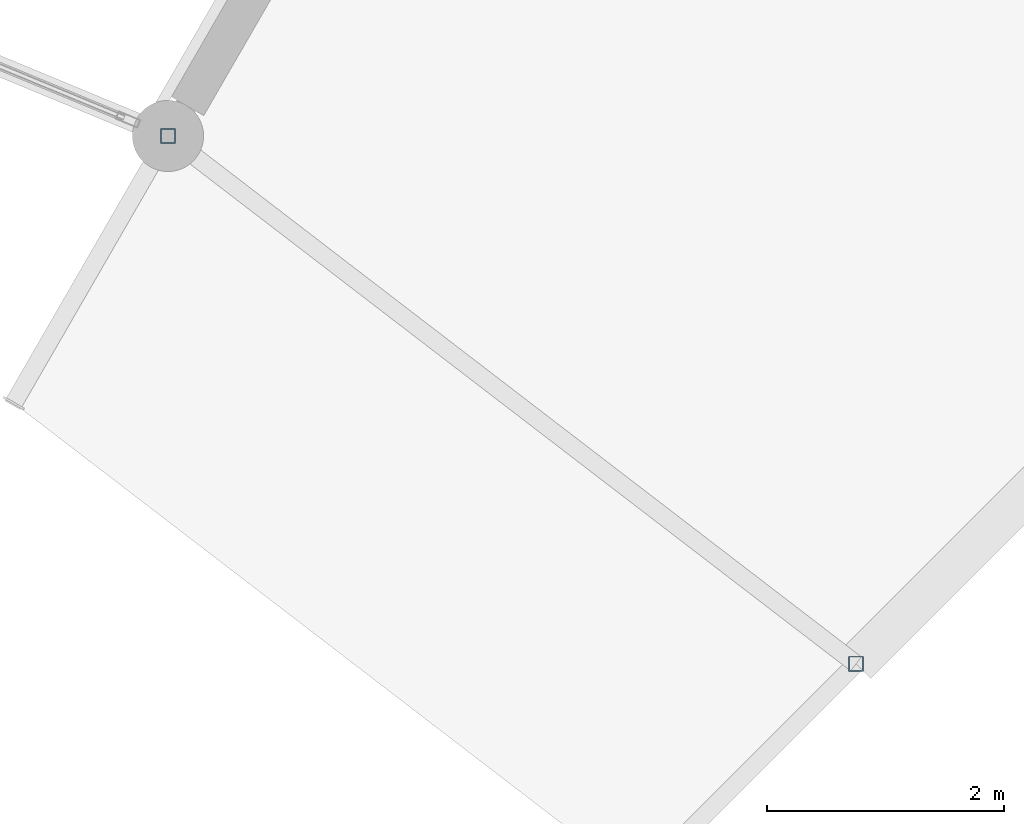
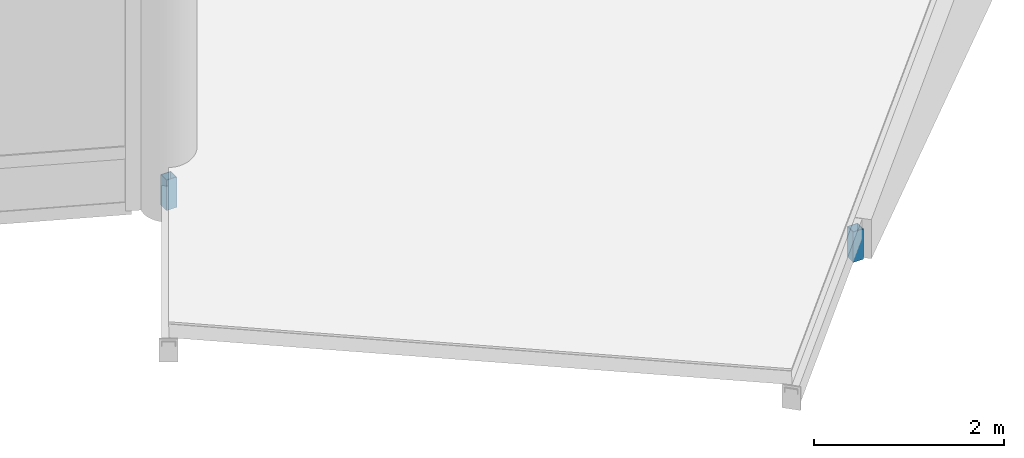
# One storey, part 66 of 93: 2 members.
"""IFC4 building model written with IfcOpenShell, lengths in metres."""

from ifc_helpers import new_model, si_unit, direction, frame, origin, origin_2d, place, context, subcontext, project, spatial, hollow_rectangle, extrude, material, material_profile, profile_set, type_object, element, save


model = new_model("IFC4")

# Units and contexts
model_context = context("Model", 3, precision=1e-05, world=origin(), true_north=direction((0.0, 1.0)))
body_context = subcontext(model_context, "Body", "Model", "MODEL_VIEW")
ifc_project = project(units=[si_unit("LENGTHUNIT", "METRE"), si_unit("AREAUNIT", "SQUARE_METRE"), si_unit("VOLUMEUNIT", "CUBIC_METRE"), si_unit("PLANEANGLEUNIT", "RADIAN"), si_unit("MASSUNIT", "GRAM", prefix="KILO")], contexts=[model_context])

# Site, building, storey
site_placement = place(None, origin())
site = spatial("IfcSite", under=ifc_project, at=site_placement, CompositionType="ELEMENT")
building_placement = place(site_placement, origin())
building = spatial("IfcBuilding", under=site, at=building_placement, Name="Vondelvale Polytechnic", CompositionType="ELEMENT")
storey_placement = place(building_placement, frame((0.0, 0.0, 18.0)))
storey = spatial("IfcBuildingStorey", under=building, at=storey_placement, Name="L04", CompositionType="ELEMENT", Elevation=18.0)

# Members
ifc_material = material(Name="Steel C350L0 (fy = 350 MPa)", Category="steel")
ifc_material_profile = material_profile(ifc_material, hollow_rectangle(XDim=0.125, YDim=0.125, WallThickness=0.006103515625, at=origin_2d()), Name="125x125x6.0SHS")
ifc_profile_set = profile_set([ifc_material_profile], Name="Steel C350L0 (fy = 350 MPa)")
member_type = type_object("IfcMemberType", Name="ROOF TRUSS POST 125SHS", PredefinedType="POST", material=ifc_profile_set)
for number, where, z_axis, x_axis, name in (
    (1, (121.799072265625, 91.799072265625, 0.0), (0.0, 0.0, 1.0), (1.0, 0.0, 0.0), "Ring inner eave post 03"),
    (2, (116.0, 96.248779296875, 0.0), (0.0, 0.0, 1.0), (1.0, 0.0, 0.0), "Ring step inner roof post 03"),
):
    element("IfcMember", number, at=place(storey_placement, frame(where, z_axis=z_axis, x_axis=x_axis)), inside=storey, type_object=member_type, Name=name, PredefinedType="POST", context=body_context, shape_type="SweptSolid", body=[
        extrude(hollow_rectangle(XDim=0.125, YDim=0.125, WallThickness=0.006103515625, at=origin_2d()), origin(), (0.0, 0.0, 1.0), 0.3916015625),
    ])

save(model, "model.ifc")
